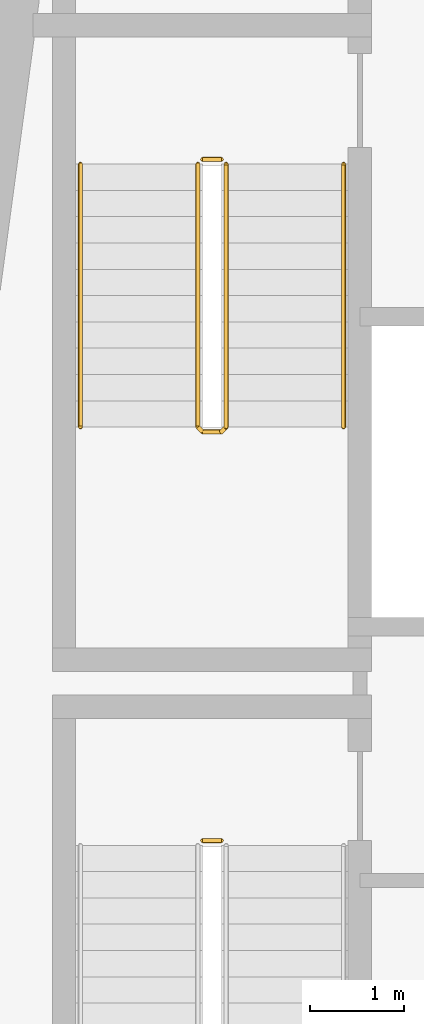
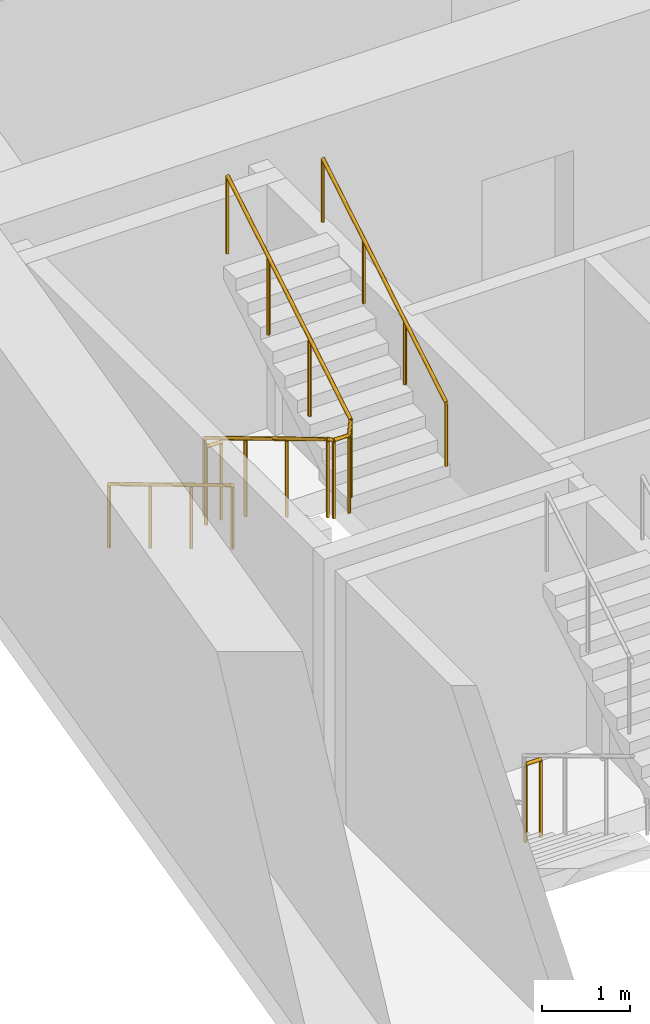
# One storey, part 9 of 12: 5 railings.
"""IFC4 building model written with IfcOpenShell, lengths in metres."""

from ifc_helpers import new_model, si_unit, direction, frame, origin, origin_2d, place, context, subcontext, project, spatial, circle, extrude, material, type_object, element, save


model = new_model("IFC4")

# Units and contexts
model_context = context("Model", 3, precision=1e-05, world=origin(), true_north=direction((0.0, 1.0)))
body_context = subcontext(model_context, "Body", "Model", "MODEL_VIEW")
ifc_project = project(units=[si_unit("LENGTHUNIT", "METRE"), si_unit("AREAUNIT", "SQUARE_METRE"), si_unit("VOLUMEUNIT", "CUBIC_METRE"), si_unit("PLANEANGLEUNIT", "RADIAN"), si_unit("MASSUNIT", "GRAM", prefix="KILO")], contexts=[model_context])

# Site, building, storey
site_placement = place(None, origin())
site = spatial("IfcSite", under=ifc_project, at=site_placement, CompositionType="ELEMENT")
building_placement = place(site_placement, origin())
building = spatial("IfcBuilding", under=site, at=building_placement, Name="Candeia Pilgrim Tower and Theatre", CompositionType="ELEMENT")
storey_placement = place(building_placement, frame((0.0, 0.0, 147.800048828125)))
storey = spatial("IfcBuildingStorey", under=building, at=storey_placement, Name="L34", CompositionType="ELEMENT", Elevation=147.800048828125)

# Railings
ifc_material_1 = material(Name="Stainless steel balustrade", Category="steel")
railing_type_1 = type_object("IfcRailingType", Name="RL-GUARD-1100", PredefinedType="GUARDRAIL", material=ifc_material_1)
railing_1_placement = place(storey_placement, frame((91.152099609375, 122.52490234375, 0.0)))
element("IfcRailing", 1, at=railing_1_placement, inside=storey, type_object=railing_type_1, Name="L34 ST1 stair guard 2", PredefinedType="GUARDRAIL", context=body_context, shape_type="SweptSolid", body=[
    extrude(circle(Radius=0.02392578125, at=origin_2d()), frame((0.0, 0.0, 1.076171875), z_axis=(1.0, 0.0, 0.0), x_axis=(0.0, 1.0, 0.0)), (0.0, 0.0, 1.0), 0.199951171875),
    extrude(circle(Radius=0.02099609375, at=origin_2d()), origin(), (0.0, 0.0, 1.0), 1.052001953125),
    extrude(circle(Radius=0.02099609375, at=origin_2d()), frame((0.199951171875, 0.0, 0.0)), (0.0, 0.0, 1.0), 1.052001953125),
])
railing_2_placement = place(storey_placement, frame((91.10205078125, 129.72509765625, 0.168212890625)))
element("IfcRailing", 2, at=railing_2_placement, inside=storey, type_object=railing_type_1, Name="L34 ST2 stair guard 1", PredefinedType="GUARDRAIL", context=body_context, shape_type="SweptSolid", body=[
    extrude(circle(Radius=0.02392578125, at=origin_2d()), frame((0.0, 0.0, 1.076171875), z_axis=(0.0, -0.857275202839, 0.514858452973), x_axis=(1.0, 0.0, 0.0)), (0.0, 0.0, 1.0), 3.26611328125),
    extrude(circle(Radius=0.02392578125, at=origin_2d()), frame((0.0, -2.800048828125, 2.7578125), z_axis=(0.707106781187, -0.707106781187, 0.0), x_axis=(0.707106781187, 0.707106781187, 0.0)), (0.0, 0.0, 1.0), 0.07080078125),
    extrude(circle(Radius=0.02392578125, at=origin_2d()), frame((0.050048828125, -2.85009765625, 2.7578125), z_axis=(1.0, 0.0, 0.0), x_axis=(0.0, 1.0, 0.0)), (0.0, 0.0, 1.0), 0.199951171875),
    extrude(circle(Radius=0.02392578125, at=origin_2d()), frame((0.25, -2.85009765625, 2.7578125), z_axis=(0.274243871929, 0.274243871929, 0.92172696468), x_axis=(-0.707106781187, 0.707106781187, 0.0)), (0.0, 0.0, 1.0), 0.1826171875),
    extrude(circle(Radius=0.02392578125, at=origin_2d()), frame((0.300048828125, -2.800048828125, 2.92578125), z_axis=(0.0, 0.857242210791, 0.514913383045), x_axis=(-1.0, 0.0, 0.0)), (0.0, 0.0, 1.0), 3.266357421875),
    extrude(circle(Radius=0.02099609375, at=origin_2d()), origin(), (0.0, 0.0, 1.0), 1.052001953125),
    extrude(circle(Radius=0.02099609375, at=origin_2d()), frame((0.0, -0.933349609375, 0.560546875)), (0.0, 0.0, 1.0), 1.052001953125),
    extrude(circle(Radius=0.02099609375, at=origin_2d()), frame((0.0, -1.86669921875, 1.12109375)), (0.0, 0.0, 1.0), 1.052001953125),
    extrude(circle(Radius=0.02099609375, at=origin_2d()), frame((0.0, -2.800048828125, 1.681640625)), (0.0, 0.0, 1.0), 1.052001953125),
    extrude(circle(Radius=0.02099609375, at=origin_2d()), frame((0.050048828125, -2.85009765625, 1.681640625)), (0.0, 0.0, 1.0), 1.052001953125),
    extrude(circle(Radius=0.02099609375, at=origin_2d()), frame((0.25, -2.85009765625, 1.681640625)), (0.0, 0.0, 1.0), 1.052001953125),
    extrude(circle(Radius=0.02099609375, at=origin_2d()), frame((0.300048828125, -2.800048828125, 1.849853515625)), (0.0, 0.0, 1.0), 1.052001953125),
    extrude(circle(Radius=0.02099609375, at=origin_2d()), frame((0.300048828125, -1.86669921875, 2.410400390625)), (0.0, 0.0, 1.0), 1.052001953125),
    extrude(circle(Radius=0.02099609375, at=origin_2d()), frame((0.300048828125, -0.933349609375, 2.97119140625)), (0.0, 0.0, 1.0), 1.052001953125),
    extrude(circle(Radius=0.02099609375, at=origin_2d()), frame((0.300048828125, 0.0, 3.53173828125)), (0.0, 0.0, 1.0), 1.052001953125),
])
railing_3_placement = place(storey_placement, frame((91.152099609375, 129.77490234375, 0.0)))
element("IfcRailing", 3, at=railing_3_placement, inside=storey, type_object=railing_type_1, Name="L34 ST2 stair guard 2", PredefinedType="GUARDRAIL", context=body_context, shape_type="SweptSolid", body=[
    extrude(circle(Radius=0.02392578125, at=origin_2d()), frame((0.0, 0.0, 1.076171875), z_axis=(1.0, 0.0, 0.0), x_axis=(0.0, 1.0, 0.0)), (0.0, 0.0, 1.0), 0.199951171875),
    extrude(circle(Radius=0.02099609375, at=origin_2d()), origin(), (0.0, 0.0, 1.0), 1.052001953125),
    extrude(circle(Radius=0.02099609375, at=origin_2d()), frame((0.199951171875, 0.0, 0.0)), (0.0, 0.0, 1.0), 1.052001953125),
])
ifc_material_2 = material(Name="Stainless steel handrail", Category="steel")
railing_type_2 = type_object("IfcRailingType", Name="RL-HANDRAIL-900", PredefinedType="HANDRAIL", material=ifc_material_2)
railing_4_placement = place(storey_placement, frame((89.85205078125, 129.72509765625, 0.168212890625)))
element("IfcRailing", 4, at=railing_4_placement, inside=storey, type_object=railing_type_2, Name="L34 ST2 stair handrail 1", PredefinedType="HANDRAIL", context=body_context, shape_type="SweptSolid", body=[
    extrude(circle(Radius=0.02392578125, at=origin_2d()), frame((0.0, 0.0, 0.8759765625), z_axis=(0.0, -0.857275202839, 0.514858452973), x_axis=(1.0, 0.0, 0.0)), (0.0, 0.0, 1.0), 3.26611328125),
    extrude(circle(Radius=0.02099609375, at=origin_2d()), origin(), (0.0, 0.0, 1.0), 0.851806640625),
    extrude(circle(Radius=0.02099609375, at=origin_2d()), frame((0.0, -0.933349609375, 0.560546875)), (0.0, 0.0, 1.0), 0.851806640625),
    extrude(circle(Radius=0.02099609375, at=origin_2d()), frame((0.0, -1.86669921875, 1.12109375)), (0.0, 0.0, 1.0), 0.851806640625),
    extrude(circle(Radius=0.02099609375, at=origin_2d()), frame((0.0, -2.800048828125, 1.681640625)), (0.0, 0.0, 1.0), 0.851806640625),
])
railing_5_placement = place(storey_placement, frame((92.652099609375, 126.925048828125, 2.01806640625)))
element("IfcRailing", 5, at=railing_5_placement, inside=storey, type_object=railing_type_2, Name="L34 ST2 stair handrail 2", PredefinedType="HANDRAIL", context=body_context, shape_type="SweptSolid", body=[
    extrude(circle(Radius=0.02392578125, at=origin_2d()), frame((0.0, 0.0, 0.8759765625), z_axis=(0.0, 0.857242210791, 0.514913383045), x_axis=(-1.0, 0.0, 0.0)), (0.0, 0.0, 1.0), 3.266357421875),
    extrude(circle(Radius=0.02099609375, at=origin_2d()), origin(), (0.0, 0.0, 1.0), 0.851806640625),
    extrude(circle(Radius=0.02099609375, at=origin_2d()), frame((0.0, 0.933349609375, 0.560546875)), (0.0, 0.0, 1.0), 0.851806640625),
    extrude(circle(Radius=0.02099609375, at=origin_2d()), frame((0.0, 1.86669921875, 1.121337890625)), (0.0, 0.0, 1.0), 0.851806640625),
    extrude(circle(Radius=0.02099609375, at=origin_2d()), frame((0.0, 2.800048828125, 1.681884765625)), (0.0, 0.0, 1.0), 0.851806640625),
])

save(model, "model.ifc")
